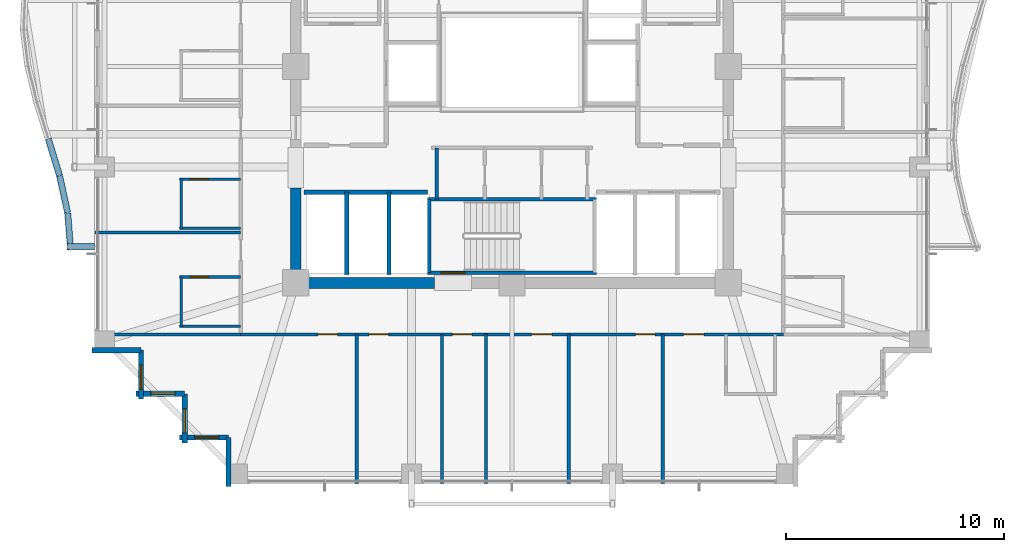
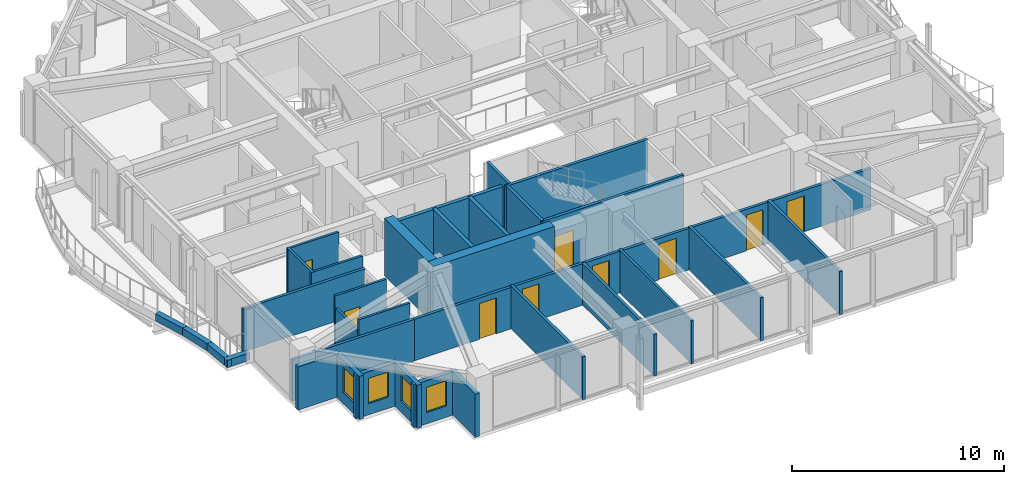
# One storey, part 30 of 37: 33 walls, 9 doors, 4 windows, 13 openings.
"""IFC4 building model written with IfcOpenShell, lengths in metres."""

from ifc_helpers import new_model, si_unit, direction, frame, frame_2d, origin, place, context, subcontext, project, spatial, rectangle, extrude, material, layer, layer_set, type_object, element, fill, save


model = new_model("IFC4")

# Units and contexts
model_context = context("Model", 3, precision=1e-05, world=origin(), true_north=direction((0.0, 1.0)))
body_context = subcontext(model_context, "Body", "Model", "MODEL_VIEW")
ifc_project = project(units=[si_unit("LENGTHUNIT", "METRE"), si_unit("AREAUNIT", "SQUARE_METRE"), si_unit("VOLUMEUNIT", "CUBIC_METRE"), si_unit("PLANEANGLEUNIT", "RADIAN"), si_unit("MASSUNIT", "GRAM", prefix="KILO")], contexts=[model_context])

# Site, building, storey
site_placement = place(None, origin())
site = spatial("IfcSite", under=ifc_project, at=site_placement, CompositionType="ELEMENT")
building_placement = place(site_placement, origin())
building = spatial("IfcBuilding", under=site, at=building_placement, Name="Kolvaren Belvedere", CompositionType="ELEMENT")
storey_placement = place(building_placement, frame((0.0, 0.0, 156.89990234375)))
storey = spatial("IfcBuildingStorey", under=building, at=storey_placement, Name="L45", CompositionType="ELEMENT", Elevation=156.89990234375)

# Walls
ifc_material_1 = material(Name="Concrete C50/60", Category="concrete")
ifc_layer_1 = layer(ifc_material_1, 0.5)
ifc_layer_set_1 = layer_set([ifc_layer_1], Name="Concrete C50/60")
wall_type_1 = type_object("IfcWallType", Name="CW-CORE-500", PredefinedType="SHEAR", material=ifc_layer_set_1)
wall_1_placement = place(storey_placement, frame((-3.5400390625, -9.89990234375, 0.0), z_axis=(0.0, 0.0, 1.0), x_axis=(-1.0, 0.0, 0.0)))
element("IfcWall", 1, at=wall_1_placement, inside=storey, type_object=wall_type_1, Name="L45 South Core Shear Wall 2", PredefinedType="SHEAR", context=body_context, shape_type="SweptSolid", body=[
    extrude(rectangle(XDim=6.60986328125, YDim=0.5, at=frame_2d((3.304931640625, 0.0))), origin(), (0.0, 0.0, 1.0), 3.300048828125),
])
wall_2_placement = place(storey_placement, frame((-9.89990234375, -9.64990234375, 0.0), z_axis=(0.0, 0.0, 1.0), x_axis=(0.0, 1.0, 0.0)))
element("IfcWall", 2, at=wall_2_placement, inside=storey, type_object=wall_type_1, Name="L45 West Core Shear Wall 1", PredefinedType="SHEAR", context=body_context, shape_type="SweptSolid", body=[
    extrude(rectangle(XDim=4.099853515625, YDim=0.5, at=frame_2d((2.0498046875, 0.0))), origin(), (0.0, 0.0, 1.0), 3.300048828125),
])

# Wall, opening, door
ifc_material_2 = material(Name="Concrete C50/60", Category="concrete")
ifc_layer_2 = layer(ifc_material_2, 0.159912109375)
ifc_layer_set_2 = layer_set([ifc_layer_2], Name="Concrete C50/60")
wall_type_2 = type_object("IfcWallType", Name="CW-STAIR-160", PredefinedType="SHEAR", material=ifc_layer_set_2)
wall_3_placement = place(storey_placement, frame((3.860107421875, -9.429931640625, 0.0), z_axis=(0.0, 0.0, 1.0), x_axis=(-1.0, 0.0, 0.0)))
wall_3 = element("IfcWall", 3, at=wall_3_placement, inside=storey, type_object=wall_type_2, Name="L45 Stair ST-3 South Shear Wall", PredefinedType="SHEAR", context=body_context, shape_type="SweptSolid", body=[
    extrude(rectangle(XDim=7.72021484375, YDim=0.159912109375, at=frame_2d((3.860107421875, 0.0))), origin(), (0.0, 0.0, 1.0), 3.300048828125),
])
opening_1_placement = place(wall_3_placement, frame((6.010009765625, 0.0, 0.0)))
opening_1 = element("IfcOpeningElement", 4, at=opening_1_placement, cuts=wall_3, Name="Opening D-FD90", PredefinedType="OPENING", context=body_context, shape_type="SweptSolid", body=[
    extrude(rectangle(XDim=1.10009765625, YDim=2.199951171875, at=frame_2d((0.550048828125, 1.10009765625))), frame((0.0, 0.08984375, 0.0), z_axis=(0.0, -1.0, 0.0), x_axis=(1.0, 0.0, 0.0)), (0.0, 0.0, 1.0), 0.179931640625),
])
ifc_material_3 = material(Name="Painted hollow stainless steel", Category="steel")
door_type_1 = type_object("IfcDoorType", Name="DR-FD90-1100", OperationType="NOTDEFINED", PredefinedType="DOOR", material=ifc_material_3)
door_1_placement = place(opening_1_placement, origin())
door_1 = element("IfcDoor", 5, at=door_1_placement, inside=storey, type_object=door_type_1, Name="L45 Stair ST-3 Exit Door", OperationType="SINGLE_SWING_RIGHT", OverallHeight=2.199951171875, OverallWidth=1.10009765625, PredefinedType="DOOR", context=body_context, shape_type="SweptSolid", body=[
    extrude(rectangle(XDim=1.10009765625, YDim=2.199951171875, at=frame_2d((0.550048828125, 1.10009765625))), frame((0.0, 0.02490234375, 0.0), z_axis=(0.0, -1.0, 0.0), x_axis=(1.0, 0.0, 0.0)), (0.0, 0.0, 1.0), 0.050048828125),
])
fill(opening_1, door_1)

# Walls
wall_4_placement = place(storey_placement, frame((-3.860107421875, -6.080078125, 0.0), z_axis=(0.0, 0.0, 1.0), x_axis=(1.0, 0.0, 0.0)))
element("IfcWall", 6, at=wall_4_placement, inside=storey, type_object=wall_type_2, Name="L45 Stair ST-3 North Shear Wall", PredefinedType="SHEAR", context=body_context, shape_type="SweptSolid", body=[
    extrude(rectangle(XDim=7.72021484375, YDim=0.159912109375, at=frame_2d((3.860107421875, 0.0))), origin(), (0.0, 0.0, 1.0), 3.300048828125),
])
wall_5_placement = place(storey_placement, frame((-3.780029296875, -9.429931640625, 0.0), z_axis=(0.0, 0.0, 1.0), x_axis=(0.0, 1.0, 0.0)))
element("IfcWall", 7, at=wall_5_placement, inside=storey, type_object=wall_type_2, Name="L45 Stair ST-3 West Shear Wall", PredefinedType="SHEAR", context=body_context, shape_type="SweptSolid", body=[
    extrude(rectangle(XDim=3.349853515625, YDim=0.159912109375, at=frame_2d((1.6748046875, 0.0))), origin(), (0.0, 0.0, 1.0), 3.300048828125),
])

# Wall, openings, doors
ifc_material_4 = material(Name="Gypsum fire-rated partition assembly", Category="gypsum")
ifc_layer_3 = layer(ifc_material_4, 0.14990234375)
ifc_layer_set_3 = layer_set([ifc_layer_3], Name="Gypsum fire-rated partition assembly")
wall_type_3 = type_object("IfcWallType", Name="WL-CORR-150", PredefinedType="PARTITIONING", material=ifc_layer_set_3)
wall_6_placement = place(storey_placement, frame((-12.419921875, -12.260009765625, 0.0), z_axis=(0.0, 0.0, 1.0), x_axis=(1.0, 0.0, 0.0)))
wall_6 = element("IfcWall", 8, at=wall_6_placement, inside=storey, type_object=wall_type_3, Name="L45 South Corridor Wall", PredefinedType="PARTITIONING", context=body_context, shape_type="SweptSolid", body=[
    extrude(rectangle(XDim=24.83984375, YDim=0.14990234375, at=frame_2d((12.419921875, 0.0))), origin(), (0.0, 0.0, 1.0), 2.38916015625),
])
opening_2_placement = place(wall_6_placement, frame((3.5419921875, 0.0, 0.0)))
opening_2 = element("IfcOpeningElement", 9, at=opening_2_placement, cuts=wall_6, Name="Opening D-INT90", PredefinedType="OPENING", context=body_context, shape_type="SweptSolid", body=[
    extrude(rectangle(XDim=0.89990234375, YDim=2.06005859375, at=frame_2d((0.449951171875, 1.030029296875))), frame((0.0, 0.0849609375, 0.0), z_axis=(0.0, -1.0, 0.0), x_axis=(1.0, 0.0, 0.0)), (0.0, 0.0, 1.0), 0.169921875),
])
opening_3_placement = place(wall_6_placement, frame((5.876953125, 0.0, 0.0)))
opening_3 = element("IfcOpeningElement", 10, at=opening_3_placement, cuts=wall_6, Name="Opening D-INT90", PredefinedType="OPENING", context=body_context, shape_type="SweptSolid", body=[
    extrude(rectangle(XDim=0.89990234375, YDim=2.06005859375, at=frame_2d((0.449951171875, 1.030029296875))), frame((0.0, 0.0849609375, 0.0), z_axis=(0.0, -1.0, 0.0), x_axis=(1.0, 0.0, 0.0)), (0.0, 0.0, 1.0), 0.169921875),
])
opening_4_placement = place(wall_6_placement, frame((9.693115234375, 0.0, 0.0)))
opening_4 = element("IfcOpeningElement", 11, at=opening_4_placement, cuts=wall_6, Name="Opening D-INT90", PredefinedType="OPENING", context=body_context, shape_type="SweptSolid", body=[
    extrude(rectangle(XDim=0.89990234375, YDim=2.06005859375, at=frame_2d((0.449951171875, 1.030029296875))), frame((0.0, 0.0849609375, 0.0), z_axis=(0.0, -1.0, 0.0), x_axis=(1.0, 0.0, 0.0)), (0.0, 0.0, 1.0), 0.169921875),
])
opening_5_placement = place(wall_6_placement, frame((13.30810546875, 0.0, 0.0)))
opening_5 = element("IfcOpeningElement", 12, at=opening_5_placement, cuts=wall_6, Name="Opening D-INT95", PredefinedType="OPENING", context=body_context, shape_type="SweptSolid", body=[
    extrude(rectangle(XDim=0.949951171875, YDim=2.06005859375, at=frame_2d((0.47509765625, 1.030029296875))), frame((0.0, 0.0849609375, 0.0), z_axis=(0.0, -1.0, 0.0), x_axis=(1.0, 0.0, 0.0)), (0.0, 0.0, 1.0), 0.169921875),
])
opening_6_placement = place(wall_6_placement, frame((18.06298828125, 0.0, 0.0)))
opening_6 = element("IfcOpeningElement", 13, at=opening_6_placement, cuts=wall_6, Name="Opening D-INT90", PredefinedType="OPENING", context=body_context, shape_type="SweptSolid", body=[
    extrude(rectangle(XDim=0.89990234375, YDim=2.06005859375, at=frame_2d((0.449951171875, 1.030029296875))), frame((0.0, 0.0849609375, 0.0), z_axis=(0.0, -1.0, 0.0), x_axis=(1.0, 0.0, 0.0)), (0.0, 0.0, 1.0), 0.169921875),
])
opening_7_placement = place(wall_6_placement, frame((20.258544921875, 0.0, 0.0)))
opening_7 = element("IfcOpeningElement", 14, at=opening_7_placement, cuts=wall_6, Name="Opening D-FD60", PredefinedType="OPENING", context=body_context, shape_type="SweptSolid", body=[
    extrude(rectangle(XDim=0.949951171875, YDim=2.06005859375, at=frame_2d((0.47509765625, 1.030029296875))), frame((0.0, 0.0849609375, 0.0), z_axis=(0.0, -1.0, 0.0), x_axis=(1.0, 0.0, 0.0)), (0.0, 0.0, 1.0), 0.169921875),
])
ifc_material_5 = material(Name="Acoustic white-oak fire door leaf", Category="timber")
door_type_2 = type_object("IfcDoorType", Name="DR-FD60-950", OperationType="NOTDEFINED", PredefinedType="DOOR", material=ifc_material_5)
door_2_placement = place(opening_7_placement, origin())
door_2 = element("IfcDoor", 15, at=door_2_placement, inside=storey, type_object=door_type_2, Name="L45 King Guest Room 4504 Entry Door", OperationType="SINGLE_SWING_LEFT", OverallHeight=2.06005859375, OverallWidth=0.949951171875, PredefinedType="DOOR", context=body_context, shape_type="SweptSolid", body=[
    extrude(rectangle(XDim=0.949951171875, YDim=2.06005859375, at=frame_2d((0.47509765625, 1.030029296875))), frame((0.0, 0.02490234375, 0.0), z_axis=(0.0, -1.0, 0.0), x_axis=(1.0, 0.0, 0.0)), (0.0, 0.0, 1.0), 0.050048828125),
])
fill(opening_7, door_2)
ifc_material_6 = material(Name="Stained Pacific white oak", Category="timber")
door_type_3 = type_object("IfcDoorType", Name="DR-INT-900", OperationType="NOTDEFINED", PredefinedType="DOOR", material=ifc_material_6)
door_3_placement = place(opening_2_placement, origin())
door_3 = element("IfcDoor", 16, at=door_3_placement, inside=storey, type_object=door_type_3, Name="L45 Wellness Yoga & Reading Gym 4501 Door", OperationType="SINGLE_SWING_LEFT", OverallHeight=2.06005859375, OverallWidth=0.89990234375, PredefinedType="DOOR", context=body_context, shape_type="SweptSolid", body=[
    extrude(rectangle(XDim=0.89990234375, YDim=2.06005859375, at=frame_2d((0.449951171875, 1.030029296875))), frame((0.0, 0.02490234375, 0.0), z_axis=(0.0, -1.0, 0.0), x_axis=(1.0, 0.0, 0.0)), (0.0, 0.0, 1.0), 0.050048828125),
])
fill(opening_2, door_3)
door_4_placement = place(opening_3_placement, origin())
door_4 = element("IfcDoor", 17, at=door_4_placement, inside=storey, type_object=door_type_3, Name="L45 Guest Tea & Espresso Kitchen 4502 Door", OperationType="SINGLE_SWING_RIGHT", OverallHeight=2.06005859375, OverallWidth=0.89990234375, PredefinedType="DOOR", context=body_context, shape_type="SweptSolid", body=[
    extrude(rectangle(XDim=0.89990234375, YDim=2.06005859375, at=frame_2d((0.449951171875, 1.030029296875))), frame((0.0, 0.02490234375, 0.0), z_axis=(0.0, -1.0, 0.0), x_axis=(1.0, 0.0, 0.0)), (0.0, 0.0, 1.0), 0.050048828125),
])
fill(opening_3, door_4)
door_5_placement = place(opening_4_placement, origin())
door_5 = element("IfcDoor", 18, at=door_5_placement, inside=storey, type_object=door_type_3, Name="L45 Housekeeping Door", OperationType="SINGLE_SWING_LEFT", OverallHeight=2.06005859375, OverallWidth=0.89990234375, PredefinedType="DOOR", context=body_context, shape_type="SweptSolid", body=[
    extrude(rectangle(XDim=0.89990234375, YDim=2.06005859375, at=frame_2d((0.449951171875, 1.030029296875))), frame((0.0, 0.02490234375, 0.0), z_axis=(0.0, -1.0, 0.0), x_axis=(1.0, 0.0, 0.0)), (0.0, 0.0, 1.0), 0.050048828125),
])
fill(opening_4, door_5)
door_6_placement = place(opening_6_placement, origin())
door_6 = element("IfcDoor", 19, at=door_6_placement, inside=storey, type_object=door_type_3, Name="L45 Private Hospitality Meeting Room 4503 Door", OperationType="SINGLE_SWING_LEFT", OverallHeight=2.06005859375, OverallWidth=0.89990234375, PredefinedType="DOOR", context=body_context, shape_type="SweptSolid", body=[
    extrude(rectangle(XDim=0.89990234375, YDim=2.06005859375, at=frame_2d((0.449951171875, 1.030029296875))), frame((0.0, 0.02490234375, 0.0), z_axis=(0.0, -1.0, 0.0), x_axis=(1.0, 0.0, 0.0)), (0.0, 0.0, 1.0), 0.050048828125),
])
fill(opening_6, door_6)
ifc_material_7 = material(Name="Stained Pacific white oak", Category="timber")
door_type_4 = type_object("IfcDoorType", Name="DR-INT-950", OperationType="NOTDEFINED", PredefinedType="DOOR", material=ifc_material_7)
door_7_placement = place(opening_5_placement, origin())
door_7 = element("IfcDoor", 20, at=door_7_placement, inside=storey, type_object=door_type_4, Name="L45 Accessible Washroom Door", OperationType="SINGLE_SWING_RIGHT", OverallHeight=2.06005859375, OverallWidth=0.949951171875, PredefinedType="DOOR", context=body_context, shape_type="SweptSolid", body=[
    extrude(rectangle(XDim=0.949951171875, YDim=2.06005859375, at=frame_2d((0.47509765625, 1.030029296875))), frame((0.0, 0.02490234375, 0.0), z_axis=(0.0, -1.0, 0.0), x_axis=(1.0, 0.0, 0.0)), (0.0, 0.0, 1.0), 0.050048828125),
])
fill(opening_5, door_7)

# Wall
ifc_material_8 = material(Name="Insulated pale-metal facade wall assembly", Category="aluminium")
ifc_layer_4 = layer(ifc_material_8, 0.239990234375)
ifc_layer_set_4 = layer_set([ifc_layer_4], Name="Insulated pale-metal facade wall assembly")
wall_type_4 = type_object("IfcWallType", Name="WL-EXT-240", PredefinedType="STANDARD", material=ifc_layer_set_4)
wall_7_placement = place(storey_placement, frame((-16.97998046875, -12.97998046875, 0.0), z_axis=(0.0, 0.0, 1.0), x_axis=(-1.0, 0.0, 0.0)))
element("IfcWall", 21, at=wall_7_placement, inside=storey, type_object=wall_type_4, Name="L45 Serrated Corner Facade Wall 23", PredefinedType="STANDARD", context=body_context, shape_type="SweptSolid", body=[
    extrude(rectangle(XDim=2.239990234375, YDim=0.239990234375, at=frame_2d((1.1201171875, 0.0))), origin(), (0.0, 0.0, 1.0), 2.483154296875),
])

# Wall, opening, window
wall_8_placement = place(storey_placement, frame((-16.97998046875, -15.219970703125, 0.0), z_axis=(0.0, 0.0, 1.0), x_axis=(0.0, 1.0, 0.0)))
wall_8 = element("IfcWall", 22, at=wall_8_placement, inside=storey, type_object=wall_type_4, Name="L45 Serrated Corner Facade Wall 24", PredefinedType="STANDARD", context=body_context, shape_type="SweptSolid", body=[
    extrude(rectangle(XDim=2.239990234375, YDim=0.239990234375, at=frame_2d((1.1201171875, 0.0))), origin(), (0.0, 0.0, 1.0), 2.483154296875),
])
opening_8_placement = place(wall_8_placement, frame((0.449951171875, 0.0, 0.64990234375)))
opening_8 = element("IfcOpeningElement", 23, at=opening_8_placement, cuts=wall_8, Name="Opening W-1100", PredefinedType="OPENING", context=body_context, shape_type="SweptSolid", body=[
    extrude(rectangle(XDim=1.10009765625, YDim=1.449951171875, at=frame_2d((0.550048828125, 0.72509765625))), frame((0.0, 0.1298828125, 0.0), z_axis=(0.0, -1.0, 0.0), x_axis=(1.0, 0.0, 0.0)), (0.0, 0.0, 1.0), 0.260009765625),
])
ifc_material_9 = material(Name="Low-iron triple insulated glass", Category="glass")
window_type = type_object("IfcWindowType", Name="WN-CORN-1100", PartitioningType="SINGLE_PANEL", PredefinedType="WINDOW", material=ifc_material_9)
window_1_placement = place(opening_8_placement, origin())
window_1 = element("IfcWindow", 24, at=window_1_placement, inside=storey, type_object=window_type, Name="L45 Serrated Corner Vision Window 24", OverallHeight=1.449951171875, OverallWidth=1.10009765625, PartitioningType="SINGLE_PANEL", PredefinedType="WINDOW", context=body_context, shape_type="SweptSolid", body=[
    extrude(rectangle(XDim=1.10009765625, YDim=1.449951171875, at=frame_2d((0.550048828125, 0.72509765625))), frame((0.0, 0.030029296875, 0.0), z_axis=(0.0, -1.0, 0.0), x_axis=(1.0, 0.0, 0.0)), (0.0, 0.0, 1.0), 0.06005859375),
])
fill(opening_8, window_1)

wall_9_placement = place(storey_placement, frame((-14.97998046875, -14.97998046875, 0.0), z_axis=(0.0, 0.0, 1.0), x_axis=(-1.0, 0.0, 0.0)))
wall_9 = element("IfcWall", 25, at=wall_9_placement, inside=storey, type_object=wall_type_4, Name="L45 Serrated Corner Facade Wall 25", PredefinedType="STANDARD", context=body_context, shape_type="SweptSolid", body=[
    extrude(rectangle(XDim=2.239990234375, YDim=0.239990234375, at=frame_2d((1.1201171875, 0.0))), origin(), (0.0, 0.0, 1.0), 2.483154296875),
])
opening_9_placement = place(wall_9_placement, frame((0.449951171875, 0.0, 0.64990234375)))
opening_9 = element("IfcOpeningElement", 26, at=opening_9_placement, cuts=wall_9, Name="Opening W-1100", PredefinedType="OPENING", context=body_context, shape_type="SweptSolid", body=[
    extrude(rectangle(XDim=1.10009765625, YDim=1.449951171875, at=frame_2d((0.550048828125, 0.72509765625))), frame((0.0, 0.1298828125, 0.0), z_axis=(0.0, -1.0, 0.0), x_axis=(1.0, 0.0, 0.0)), (0.0, 0.0, 1.0), 0.260009765625),
])
window_2_placement = place(opening_9_placement, origin())
window_2 = element("IfcWindow", 27, at=window_2_placement, inside=storey, type_object=window_type, Name="L45 Serrated Corner Vision Window 25", OverallHeight=1.449951171875, OverallWidth=1.10009765625, PartitioningType="SINGLE_PANEL", PredefinedType="WINDOW", context=body_context, shape_type="SweptSolid", body=[
    extrude(rectangle(XDim=1.10009765625, YDim=1.449951171875, at=frame_2d((0.550048828125, 0.72509765625))), frame((0.0, 0.030029296875, 0.0), z_axis=(0.0, -1.0, 0.0), x_axis=(1.0, 0.0, 0.0)), (0.0, 0.0, 1.0), 0.06005859375),
])
fill(opening_9, window_2)

wall_10_placement = place(storey_placement, frame((-14.97998046875, -17.219970703125, 0.0), z_axis=(0.0, 0.0, 1.0), x_axis=(0.0, 1.0, 0.0)))
wall_10 = element("IfcWall", 28, at=wall_10_placement, inside=storey, type_object=wall_type_4, Name="L45 Serrated Corner Facade Wall 26", PredefinedType="STANDARD", context=body_context, shape_type="SweptSolid", body=[
    extrude(rectangle(XDim=2.239990234375, YDim=0.239990234375, at=frame_2d((1.1201171875, 0.0))), origin(), (0.0, 0.0, 1.0), 2.483154296875),
])
opening_10_placement = place(wall_10_placement, frame((0.449951171875, 0.0, 0.64990234375)))
opening_10 = element("IfcOpeningElement", 29, at=opening_10_placement, cuts=wall_10, Name="Opening W-1100", PredefinedType="OPENING", context=body_context, shape_type="SweptSolid", body=[
    extrude(rectangle(XDim=1.10009765625, YDim=1.449951171875, at=frame_2d((0.550048828125, 0.72509765625))), frame((0.0, 0.1298828125, 0.0), z_axis=(0.0, -1.0, 0.0), x_axis=(1.0, 0.0, 0.0)), (0.0, 0.0, 1.0), 0.260009765625),
])
window_3_placement = place(opening_10_placement, origin())
window_3 = element("IfcWindow", 30, at=window_3_placement, inside=storey, type_object=window_type, Name="L45 Serrated Corner Vision Window 26", OverallHeight=1.449951171875, OverallWidth=1.10009765625, PartitioningType="SINGLE_PANEL", PredefinedType="WINDOW", context=body_context, shape_type="SweptSolid", body=[
    extrude(rectangle(XDim=1.10009765625, YDim=1.449951171875, at=frame_2d((0.550048828125, 0.72509765625))), frame((0.0, 0.030029296875, 0.0), z_axis=(0.0, -1.0, 0.0), x_axis=(1.0, 0.0, 0.0)), (0.0, 0.0, 1.0), 0.06005859375),
])
fill(opening_10, window_3)

wall_11_placement = place(storey_placement, frame((-12.97998046875, -16.97998046875, 0.0), z_axis=(0.0, 0.0, 1.0), x_axis=(-1.0, 0.0, 0.0)))
wall_11 = element("IfcWall", 31, at=wall_11_placement, inside=storey, type_object=wall_type_4, Name="L45 Serrated Corner Facade Wall 27", PredefinedType="STANDARD", context=body_context, shape_type="SweptSolid", body=[
    extrude(rectangle(XDim=2.239990234375, YDim=0.239990234375, at=frame_2d((1.1201171875, 0.0))), origin(), (0.0, 0.0, 1.0), 2.483154296875),
])
opening_11_placement = place(wall_11_placement, frame((0.449951171875, 0.0, 0.64990234375)))
opening_11 = element("IfcOpeningElement", 32, at=opening_11_placement, cuts=wall_11, Name="Opening W-1100", PredefinedType="OPENING", context=body_context, shape_type="SweptSolid", body=[
    extrude(rectangle(XDim=1.10009765625, YDim=1.449951171875, at=frame_2d((0.550048828125, 0.72509765625))), frame((0.0, 0.1298828125, 0.0), z_axis=(0.0, -1.0, 0.0), x_axis=(1.0, 0.0, 0.0)), (0.0, 0.0, 1.0), 0.260009765625),
])
window_4_placement = place(opening_11_placement, origin())
window_4 = element("IfcWindow", 33, at=window_4_placement, inside=storey, type_object=window_type, Name="L45 Serrated Corner Vision Window 27", OverallHeight=1.449951171875, OverallWidth=1.10009765625, PartitioningType="SINGLE_PANEL", PredefinedType="WINDOW", context=body_context, shape_type="SweptSolid", body=[
    extrude(rectangle(XDim=1.10009765625, YDim=1.449951171875, at=frame_2d((0.550048828125, 0.72509765625))), frame((0.0, 0.030029296875, 0.0), z_axis=(0.0, -1.0, 0.0), x_axis=(1.0, 0.0, 0.0)), (0.0, 0.0, 1.0), 0.06005859375),
])
fill(opening_11, window_4)

# Walls
wall_12_placement = place(storey_placement, frame((-12.97998046875, -19.219970703125, 0.0), z_axis=(0.0, 0.0, 1.0), x_axis=(0.0, 1.0, 0.0)))
element("IfcWall", 34, at=wall_12_placement, inside=storey, type_object=wall_type_4, Name="L45 Serrated Corner Facade Wall 28", PredefinedType="STANDARD", context=body_context, shape_type="SweptSolid", body=[
    extrude(rectangle(XDim=2.239990234375, YDim=0.239990234375, at=frame_2d((1.1201171875, 0.0))), origin(), (0.0, 0.0, 1.0), 2.483154296875),
])
ifc_material_10 = material(Name="Gypsum acoustic partition assembly", Category="gypsum")
ifc_layer_5 = layer(ifc_material_10, 0.14990234375)
ifc_layer_set_5 = layer_set([ifc_layer_5], Name="Gypsum acoustic partition assembly")
wall_type_5 = type_object("IfcWallType", Name="WL-PART-150", PredefinedType="PARTITIONING", material=ifc_layer_set_5)
wall_13_placement = place(storey_placement, frame((-3.449951171875, -6.080078125, 0.0), z_axis=(0.0, 0.0, 1.0), x_axis=(0.0, 1.0, 0.0)))
element("IfcWall", 35, at=wall_13_placement, inside=storey, type_object=wall_type_5, Name="L45 South Core Service West Wall", PredefinedType="PARTITIONING", context=body_context, shape_type="SweptSolid", body=[
    extrude(rectangle(XDim=2.360107421875, YDim=0.14990234375, at=frame_2d((1.18017578125, 0.0))), origin(), (0.0, 0.0, 1.0), 3.10009765625),
])
wall_14_placement = place(storey_placement, frame((-19.080078125, -12.260009765625, 0.0), z_axis=(0.0, 0.0, 1.0), x_axis=(1.0, 0.0, 0.0)))
element("IfcWall", 36, at=wall_14_placement, inside=storey, type_object=wall_type_5, Name="L45 Wing Divider PW-L45-QSW", PredefinedType="PARTITIONING", context=body_context, shape_type="SweptSolid", body=[
    extrude(rectangle(XDim=6.66015625, YDim=0.14990234375, at=frame_2d((3.330078125, 0.0))), origin(), (0.0, 0.0, 1.0), 2.38916015625),
])
wall_15_placement = place(storey_placement, frame((-7.10009765625, -19.080078125, 0.0), z_axis=(0.0, 0.0, 1.0), x_axis=(0.0, 1.0, 0.0)))
element("IfcWall", 37, at=wall_15_placement, inside=storey, type_object=wall_type_5, Name="L45 South Suite Demising Wall 1", PredefinedType="PARTITIONING", context=body_context, shape_type="SweptSolid", body=[
    extrude(rectangle(XDim=6.820068359375, YDim=0.14990234375, at=frame_2d((3.41015625, 0.0))), origin(), (0.0, 0.0, 1.0), 2.47314453125),
])
wall_16_placement = place(storey_placement, frame((-3.199951171875, -19.080078125, 0.0), z_axis=(0.0, 0.0, 1.0), x_axis=(0.0, 1.0, 0.0)))
element("IfcWall", 38, at=wall_16_placement, inside=storey, type_object=wall_type_5, Name="L45 South Suite Demising Wall 2", PredefinedType="PARTITIONING", context=body_context, shape_type="SweptSolid", body=[
    extrude(rectangle(XDim=6.820068359375, YDim=0.14990234375, at=frame_2d((3.41015625, 0.0))), origin(), (0.0, 0.0, 1.0), 2.38916015625),
])
for number, where, z_axis, x_axis, name in (
    (39, (2.60009765625, -19.080078125, 0.0), (0.0, 0.0, 1.0), (0.0, 1.0, 0.0), "L45 South Suite Demising Wall 3"),
    (40, (6.89990234375, -19.080078125, 0.0), (0.0, 0.0, 1.0), (0.0, 1.0, 0.0), "L45 South Suite Demising Wall 4"),
):
    element("IfcWall", number, at=place(storey_placement, frame(where, z_axis=z_axis, x_axis=x_axis)), inside=storey, type_object=wall_type_5, Name=name, PredefinedType="PARTITIONING", context=body_context, shape_type="SweptSolid", body=[
        extrude(rectangle(XDim=6.820068359375, YDim=0.14990234375, at=frame_2d((3.41015625, 0.0))), origin(), (0.0, 0.0, 1.0), 2.47314453125),
    ])
wall_17_placement = place(storey_placement, frame((-19.080078125, -7.60009765625, 0.0), z_axis=(0.0, 0.0, 1.0), x_axis=(1.0, 0.0, 0.0)))
element("IfcWall", 41, at=wall_17_placement, inside=storey, type_object=wall_type_5, Name="L45 West Suite Demising Wall 1", PredefinedType="PARTITIONING", context=body_context, shape_type="SweptSolid", body=[
    extrude(rectangle(XDim=6.66015625, YDim=0.14990234375, at=frame_2d((3.330078125, 0.0))), origin(), (0.0, 0.0, 1.0), 2.47314453125),
])
ifc_material_11 = material(Name="Precast concrete C40/50", Category="concrete")
ifc_layer_6 = layer(ifc_material_11, 0.300048828125)
ifc_layer_set_6 = layer_set([ifc_layer_6], Name="Precast concrete C40/50")
wall_type_6 = type_object("IfcWallType", Name="WL-PLANTER-300", PredefinedType="PARAPET", material=ifc_layer_set_6)
wall_18_placement = place(storey_placement, frame((-21.218994140625, -3.3134765625, -0.02001953125), z_axis=(0.0, 0.0, 1.0), x_axis=(0.290879426191, -0.956759718748, 0.0)))
element("IfcWall", 42, at=wall_18_placement, inside=storey, type_object=wall_type_6, Name="L45 Precast Structural Planter Wall BAL-W-8", PredefinedType="PARAPET", context=body_context, shape_type="SweptSolid", body=[
    extrude(rectangle(XDim=1.755859375, YDim=0.280029296875, at=frame_2d((0.8779296875, 0.0))), origin(), (0.0, 0.0, 1.0), 0.420166015625),
])
wall_19_placement = place(storey_placement, frame((-20.705078125, -5.005859375, -0.02001953125), z_axis=(0.0, 0.0, 1.0), x_axis=(0.213802724545, -0.976876857632, 0.0)))
element("IfcWall", 43, at=wall_19_placement, inside=storey, type_object=wall_type_6, Name="L45 Precast Structural Planter Wall BAL-W-9", PredefinedType="PARAPET", context=body_context, shape_type="SweptSolid", body=[
    extrude(rectangle(XDim=1.7197265625, YDim=0.280029296875, at=frame_2d((0.85986328125, 0.0))), origin(), (0.0, 0.0, 1.0), 0.420166015625),
])
wall_20_placement = place(storey_placement, frame((-20.333984375, -6.707275390625, -0.02001953125), z_axis=(0.0, 0.0, 1.0), x_axis=(0.079244268248, -0.99685522818, 0.0)))
element("IfcWall", 44, at=wall_20_placement, inside=storey, type_object=wall_type_6, Name="L45 Precast Structural Planter Wall BAL-W-10", PredefinedType="PARAPET", context=body_context, shape_type="SweptSolid", body=[
    extrude(rectangle(XDim=1.685302734375, YDim=0.280029296875, at=frame_2d((0.8427734375, 0.0))), origin(), (0.0, 0.0, 1.0), 0.420166015625),
])
wall_21_placement = place(storey_placement, frame((-20.360107421875, -8.239990234375, -0.02001953125), z_axis=(0.0, 0.0, 1.0), x_axis=(1.0, 0.0, 0.0)))
element("IfcWall", 45, at=wall_21_placement, inside=storey, type_object=wall_type_6, Name="L45 Precast Structural Planter Wall BAL-W-11", PredefinedType="PARAPET", context=body_context, shape_type="SweptSolid", body=[
    extrude(rectangle(XDim=1.260009765625, YDim=0.280029296875, at=frame_2d((0.6298828125, 0.0))), origin(), (0.0, 0.0, 1.0), 0.420166015625),
])
ifc_material_12 = material(Name="Concrete C50/60", Category="concrete")
ifc_layer_7 = layer(ifc_material_12, 0.199951171875)
ifc_layer_set_7 = layer_set([ifc_layer_7], Name="Concrete C50/60")
wall_type_7 = type_object("IfcWallType", Name="WL-SHAFT-200", PredefinedType="SOLIDWALL", material=ifc_layer_set_7)
wall_22_placement = place(storey_placement, frame((-9.52001953125, -5.75, 0.0), z_axis=(0.0, 0.0, 1.0), x_axis=(1.0, 0.0, 0.0)))
element("IfcWall", 46, at=wall_22_placement, inside=storey, type_object=wall_type_7, Name="L45 Mid-Rise Lift Bank Front Wall", PredefinedType="SOLIDWALL", context=body_context, shape_type="SweptSolid", body=[
    extrude(rectangle(XDim=5.659912109375, YDim=0.199951171875, at=frame_2d((2.830078125, 0.0))), origin(), (0.0, 0.0, 1.0), 3.10009765625),
])
for number, where, z_axis, x_axis, name in (
    (47, (-7.56005859375, -9.52001953125, 0.0), (0.0, 0.0, 1.0), (0.0, 1.0, 0.0), "L45 Mid-Rise Hoistway Divider 1"),
    (48, (-5.6298828125, -9.52001953125, 0.0), (0.0, 0.0, 1.0), (0.0, 1.0, 0.0), "L45 Mid-Rise Hoistway Divider 2"),
):
    element("IfcWall", number, at=place(storey_placement, frame(where, z_axis=z_axis, x_axis=x_axis)), inside=storey, type_object=wall_type_7, Name=name, PredefinedType="SOLIDWALL", context=body_context, shape_type="SweptSolid", body=[
        extrude(rectangle(XDim=3.77001953125, YDim=0.199951171875, at=frame_2d((1.885009765625, 0.0))), origin(), (0.0, 0.0, 1.0), 3.10009765625),
    ])
ifc_material_13 = material(Name="Moisture-resistant gypsum partition", Category="gypsum")
ifc_layer_8 = layer(ifc_material_13, 0.125)
ifc_layer_set_8 = layer_set([ifc_layer_8], Name="Moisture-resistant gypsum partition")
wall_type_8 = type_object("IfcWallType", Name="WL-WET-125", PredefinedType="PARTITIONING", material=ifc_layer_set_8)
wall_23_placement = place(storey_placement, frame((-1.18994140625, -19.080078125, 0.0), z_axis=(0.0, 0.0, 1.0), x_axis=(0.0, 1.0, 0.0)))
element("IfcWall", 49, at=wall_23_placement, inside=storey, type_object=wall_type_8, Name="L45 Housekeeping Washroom Divider", PredefinedType="PARTITIONING", context=body_context, shape_type="SweptSolid", body=[
    extrude(rectangle(XDim=6.844970703125, YDim=0.125, at=frame_2d((3.42236328125, 0.0))), origin(), (0.0, 0.0, 1.0), 2.47314453125),
])

# Wall, opening, door
wall_24_placement = place(storey_placement, frame((-15.22509765625, -9.631103515625, 0.0), z_axis=(0.0, 0.0, 1.0), x_axis=(1.0, 0.0, 0.0)))
wall_24 = element("IfcWall", 50, at=wall_24_placement, inside=storey, type_object=wall_type_8, Name="L45 Bathroom Partition PW-L45-BTH-10-N", PredefinedType="PARTITIONING", context=body_context, shape_type="SweptSolid", body=[
    extrude(rectangle(XDim=2.7900390625, YDim=0.125, at=frame_2d((1.39501953125, 0.0))), origin(), (0.0, 0.0, 1.0), 3.10009765625),
])
opening_12_placement = place(wall_24_placement, frame((0.5, 0.0, 0.0)))
opening_12 = element("IfcOpeningElement", 51, at=opening_12_placement, cuts=wall_24, Name="Opening D-BTH85", PredefinedType="OPENING", context=body_context, shape_type="SweptSolid", body=[
    extrude(rectangle(XDim=0.85009765625, YDim=2.030029296875, at=frame_2d((0.425048828125, 1.01513671875))), frame((0.0, 0.072509765625, 0.0), z_axis=(0.0, -1.0, 0.0), x_axis=(1.0, 0.0, 0.0)), (0.0, 0.0, 1.0), 0.14501953125),
])
ifc_material_14 = material(Name="Moisture-sealed Pacific white oak", Category="timber")
door_type_5 = type_object("IfcDoorType", Name="DR-BATH-850", OperationType="NOTDEFINED", PredefinedType="DOOR", material=ifc_material_14)
door_8_placement = place(opening_12_placement, origin())
door_8 = element("IfcDoor", 52, at=door_8_placement, inside=storey, type_object=door_type_5, Name="L45 En-Suite Bathroom 4510 Door", OperationType="SINGLE_SWING_LEFT", OverallHeight=2.030029296875, OverallWidth=0.85009765625, PredefinedType="DOOR", context=body_context, shape_type="SweptSolid", body=[
    extrude(rectangle(XDim=0.85009765625, YDim=2.030029296875, at=frame_2d((0.425048828125, 1.01513671875))), frame((0.0, 0.02490234375, 0.0), z_axis=(0.0, -1.0, 0.0), x_axis=(1.0, 0.0, 0.0)), (0.0, 0.0, 1.0), 0.050048828125),
])
fill(opening_12, door_8)

# Walls
wall_25_placement = place(storey_placement, frame((-15.14501953125, -11.94091796875, 0.0), z_axis=(0.0, 0.0, 1.0), x_axis=(0.0, 1.0, 0.0)))
element("IfcWall", 53, at=wall_25_placement, inside=storey, type_object=wall_type_8, Name="L45 Bathroom Partition PW-L45-BTH-10-V", PredefinedType="PARTITIONING", context=body_context, shape_type="SweptSolid", body=[
    extrude(rectangle(XDim=2.369873046875, YDim=0.125, at=frame_2d((1.18505859375, 0.0))), origin(), (0.0, 0.0, 1.0), 2.38916015625),
])
wall_26_placement = place(storey_placement, frame((-15.22509765625, -11.881103515625, 0.0), z_axis=(0.0, 0.0, 1.0), x_axis=(1.0, 0.0, 0.0)))
element("IfcWall", 54, at=wall_26_placement, inside=storey, type_object=wall_type_8, Name="L45 Bathroom Partition PW-L45-BTH-10-S", PredefinedType="PARTITIONING", context=body_context, shape_type="SweptSolid", body=[
    extrude(rectangle(XDim=2.7900390625, YDim=0.125, at=frame_2d((1.39501953125, 0.0))), origin(), (0.0, 0.0, 1.0), 3.10009765625),
])

# Wall, opening, door
wall_27_placement = place(storey_placement, frame((-15.22509765625, -5.155029296875, 0.0), z_axis=(0.0, 0.0, 1.0), x_axis=(1.0, 0.0, 0.0)))
wall_27 = element("IfcWall", 55, at=wall_27_placement, inside=storey, type_object=wall_type_8, Name="L45 Bathroom Partition PW-L45-BTH-11-N", PredefinedType="PARTITIONING", context=body_context, shape_type="SweptSolid", body=[
    extrude(rectangle(XDim=2.7900390625, YDim=0.125, at=frame_2d((1.39501953125, 0.0))), origin(), (0.0, 0.0, 1.0), 3.10009765625),
])
opening_13_placement = place(wall_27_placement, frame((0.5, 0.0, 0.0)))
opening_13 = element("IfcOpeningElement", 56, at=opening_13_placement, cuts=wall_27, Name="Opening D-BTH85", PredefinedType="OPENING", context=body_context, shape_type="SweptSolid", body=[
    extrude(rectangle(XDim=0.85009765625, YDim=2.030029296875, at=frame_2d((0.425048828125, 1.01513671875))), frame((0.0, 0.072509765625, 0.0), z_axis=(0.0, -1.0, 0.0), x_axis=(1.0, 0.0, 0.0)), (0.0, 0.0, 1.0), 0.14501953125),
])
door_9_placement = place(opening_13_placement, origin())
door_9 = element("IfcDoor", 57, at=door_9_placement, inside=storey, type_object=door_type_5, Name="L45 En-Suite Bathroom 4511 Door", OperationType="SINGLE_SWING_LEFT", OverallHeight=2.030029296875, OverallWidth=0.85009765625, PredefinedType="DOOR", context=body_context, shape_type="SweptSolid", body=[
    extrude(rectangle(XDim=0.85009765625, YDim=2.030029296875, at=frame_2d((0.425048828125, 1.01513671875))), frame((0.0, 0.02490234375, 0.0), z_axis=(0.0, -1.0, 0.0), x_axis=(1.0, 0.0, 0.0)), (0.0, 0.0, 1.0), 0.050048828125),
])
fill(opening_13, door_9)

# Walls
wall_28_placement = place(storey_placement, frame((-15.14501953125, -7.465087890625, 0.0), z_axis=(0.0, 0.0, 1.0), x_axis=(0.0, 1.0, 0.0)))
element("IfcWall", 58, at=wall_28_placement, inside=storey, type_object=wall_type_8, Name="L45 Bathroom Partition PW-L45-BTH-11-V", PredefinedType="PARTITIONING", context=body_context, shape_type="SweptSolid", body=[
    extrude(rectangle(XDim=2.3701171875, YDim=0.125, at=frame_2d((1.18505859375, 0.0))), origin(), (0.0, 0.0, 1.0), 3.10009765625),
])
wall_29_placement = place(storey_placement, frame((-15.22509765625, -7.405029296875, 0.0), z_axis=(0.0, 0.0, 1.0), x_axis=(1.0, 0.0, 0.0)))
element("IfcWall", 59, at=wall_29_placement, inside=storey, type_object=wall_type_8, Name="L45 Bathroom Partition PW-L45-BTH-11-S", PredefinedType="PARTITIONING", context=body_context, shape_type="SweptSolid", body=[
    extrude(rectangle(XDim=2.7900390625, YDim=0.125, at=frame_2d((1.39501953125, 0.0))), origin(), (0.0, 0.0, 1.0), 3.10009765625),
])

save(model, "model.ifc")
